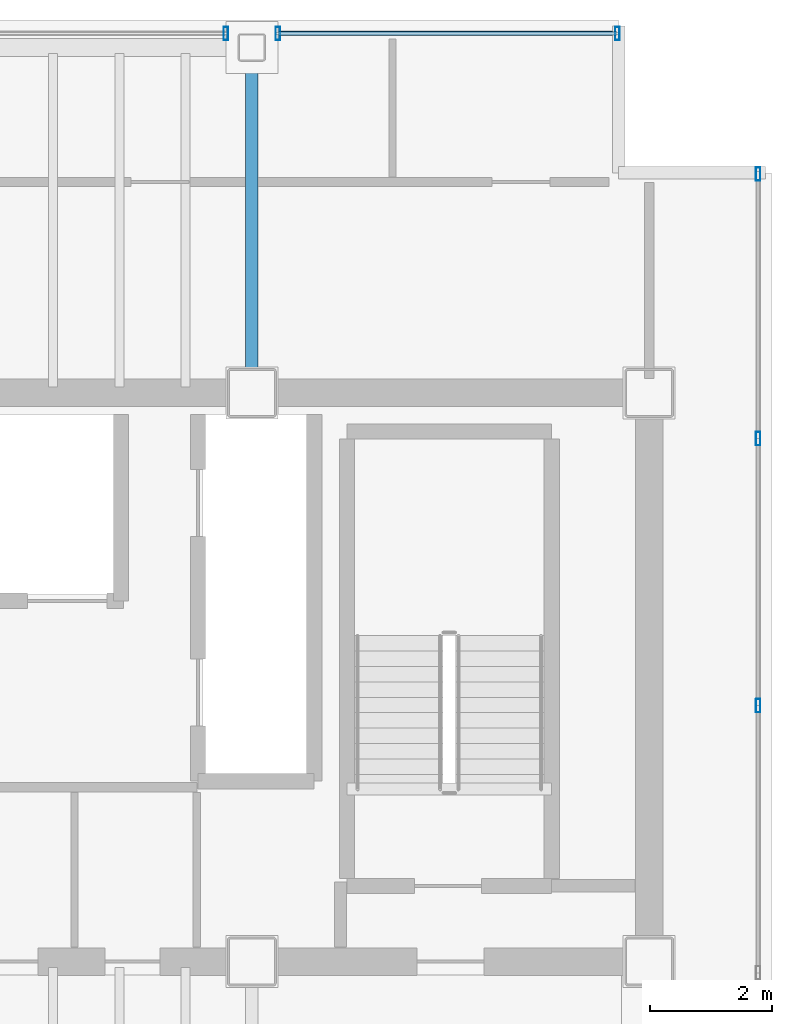
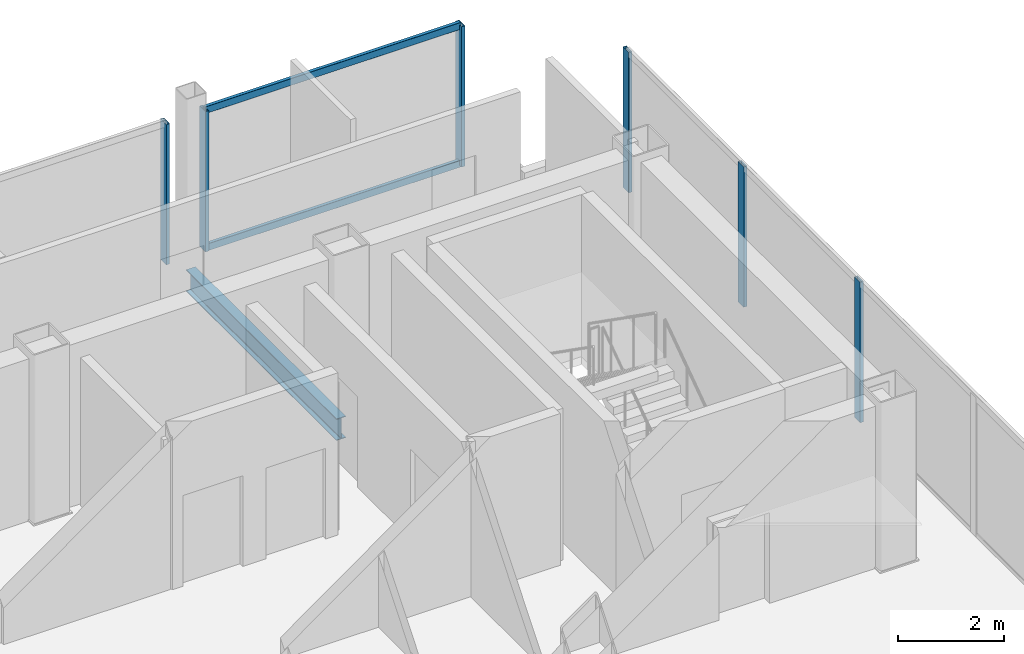
# One storey, part 12 of 16: 8 members, 1 beam, 3 elements without a shape of their own.
"""IFC4 building model written with IfcOpenShell, lengths in metres."""

from ifc_helpers import new_model, si_unit, direction, frame, origin, origin_2d, place, context, subcontext, project, spatial, hollow_rectangle, i_section, extrude, material, material_profile, profile_set, type_object, element, aggregate, save


model = new_model("IFC4")

# Units and contexts
model_context = context("Model", 3, precision=1e-05, world=origin(), true_north=direction((0.0, 1.0)))
body_context = subcontext(model_context, "Body", "Model", "MODEL_VIEW")
ifc_project = project(units=[si_unit("LENGTHUNIT", "METRE"), si_unit("AREAUNIT", "SQUARE_METRE"), si_unit("VOLUMEUNIT", "CUBIC_METRE"), si_unit("PLANEANGLEUNIT", "RADIAN"), si_unit("MASSUNIT", "GRAM", prefix="KILO")], contexts=[model_context])

# Site, building, storey
site_placement = place(None, origin())
site = spatial("IfcSite", under=ifc_project, at=site_placement, CompositionType="ELEMENT")
building_placement = place(site_placement, origin())
building = spatial("IfcBuilding", under=site, at=building_placement, Name="Noeulbin Bourse Tower", CompositionType="ELEMENT")
storey_placement = place(building_placement, frame((0.0, 0.0, 269.60009765625)))
storey = spatial("IfcBuildingStorey", under=building, at=storey_placement, Name="L67", CompositionType="ELEMENT", Elevation=269.60009765625)

# Beam
ifc_material_1 = material(Name="Steel S355", Category="steel")
ifc_material_profile_1 = material_profile(ifc_material_1, i_section(OverallWidth=0.199951171875, OverallDepth=0.5, WebThickness=0.010009765625, FlangeThickness=0.01611328125, FilletRadius=0.02001953125, at=origin_2d()), Name="H-500x200x10x16", Category="LoadBearing")
ifc_profile_set_1 = profile_set([ifc_material_profile_1], Name="Steel S355")
beam_type = type_object("IfcBeamType", Name="BM-GRD-500", PredefinedType="USERDEFINED", material=ifc_profile_set_1)
beam_placement = place(storey_placement, frame((37.5, 38.300048828125, -0.43017578125), z_axis=(0.0, 1.0, 0.0), x_axis=(-1.0, 0.0, 0.0)))
element("IfcBeam", 1, at=beam_placement, inside=storey, type_object=beam_type, Name="Tower Primary Girder NS L67-4.4", ObjectType="GIRDER", PredefinedType="USERDEFINED", context=body_context, shape_type="SweptSolid", body=[
    extrude(i_section(OverallWidth=0.199951171875, OverallDepth=0.5, WebThickness=0.010009765625, FlangeThickness=0.01611328125, FilletRadius=0.02001953125, at=origin_2d()), origin(), (0.0, 0.0, 1.0), 5.64990234375),
])

# Curtain wall, member
ifc_material_2 = material(Name="High-Selectivity Low-Iron Glazing", Category="glass")
curtain_wall_type = type_object("IfcCurtainWallType", Name="CW-SYS-4", PredefinedType="NOTDEFINED", material=ifc_material_2)
curtain_wall_1_placement = place(storey_placement, origin())
curtain_wall_1 = element("IfcCurtainWall", 2, at=curtain_wall_1_placement, inside=storey, type_object=curtain_wall_type, Name="Unitised Curtain Wall CW-L67-N-S4", PredefinedType="NOTDEFINED")
ifc_material_3 = material(Name="Anodised Aluminium 6063-T6", Category="aluminium")
ifc_material_profile_2 = material_profile(ifc_material_3, hollow_rectangle(XDim=0.074951171875, YDim=0.219970703125, WallThickness=0.0048828125, InnerFilletRadius=0.00244140625, OuterFilletRadius=0.0048828125, at=origin_2d()), Name="ALU-MULL-75x220x5", Category="LoadBearing")
ifc_profile_set_2 = profile_set([ifc_material_profile_2], Name="Anodised Aluminium 6063-T6")
member_type_1 = type_object("IfcMemberType", Name="CW-SYS-4-MUL", PredefinedType="MULLION", material=ifc_profile_set_2)
member_1_placement = place(storey_placement, frame((37.074951171875, 44.179931640625, -0.02001953125), z_axis=(0.0, 0.0, 1.0), x_axis=(1.0, 0.0, 0.0)))
member_1 = element("IfcMember", 3, at=member_1_placement, type_object=member_type_1, Name="Curtain Wall Mullion CW-L67-N-S4-M01", PredefinedType="MULLION", context=body_context, shape_type="SweptSolid", body=[
    extrude(hollow_rectangle(XDim=0.074951171875, YDim=0.219970703125, WallThickness=0.0048828125, InnerFilletRadius=0.00244140625, OuterFilletRadius=0.0048828125, at=origin_2d()), origin(), (0.0, 0.0, 1.0), 3.219970703125),
])
aggregate(curtain_wall_1, [member_1])

# Curtain wall, members
curtain_wall_2_placement = place(storey_placement, origin())
curtain_wall_2 = element("IfcCurtainWall", 4, at=curtain_wall_2_placement, inside=storey, type_object=curtain_wall_type, Name="Unitised Curtain Wall CW-L67-N-S5", PredefinedType="NOTDEFINED")
member_2_placement = place(storey_placement, frame((37.925048828125, 44.179931640625, -0.02001953125), z_axis=(0.0, 0.0, 1.0), x_axis=(1.0, 0.0, 0.0)))
member_2 = element("IfcMember", 5, at=member_2_placement, type_object=member_type_1, Name="Curtain Wall Mullion CW-L67-N-S5-M00", PredefinedType="MULLION", context=body_context, shape_type="SweptSolid", body=[
    extrude(hollow_rectangle(XDim=0.074951171875, YDim=0.219970703125, WallThickness=0.0048828125, InnerFilletRadius=0.00244140625, OuterFilletRadius=0.0048828125, at=origin_2d()), origin(), (0.0, 0.0, 1.0), 3.219970703125),
])
member_3_placement = place(storey_placement, frame((43.47998046875, 44.179931640625, -0.02001953125), z_axis=(0.0, 0.0, 1.0), x_axis=(1.0, 0.0, 0.0)))
member_3 = element("IfcMember", 6, at=member_3_placement, type_object=member_type_1, Name="Curtain Wall Mullion CW-L67-N-S5-M01", PredefinedType="MULLION", context=body_context, shape_type="SweptSolid", body=[
    extrude(hollow_rectangle(XDim=0.074951171875, YDim=0.219970703125, WallThickness=0.0048828125, InnerFilletRadius=0.00244140625, OuterFilletRadius=0.0048828125, at=origin_2d()), origin(), (0.0, 0.0, 1.0), 3.219970703125),
])

curtain_wall_3_placement = place(storey_placement, origin())
curtain_wall_3 = element("IfcCurtainWall", 7, at=curtain_wall_3_placement, inside=storey, type_object=curtain_wall_type, Name="Unitised Curtain Wall CW-L67-E", PredefinedType="NOTDEFINED")
member_4_placement = place(storey_placement, frame((45.780029296875, 33.18408203125, -0.02001953125), z_axis=(0.0, 0.0, 1.0), x_axis=(1.0, 0.0, 0.0)))
member_4 = element("IfcMember", 8, at=member_4_placement, type_object=member_type_1, Name="Curtain Wall Mullion CW-L67-E-M03", PredefinedType="MULLION", context=body_context, shape_type="SweptSolid", body=[
    extrude(hollow_rectangle(XDim=0.074951171875, YDim=0.219970703125, WallThickness=0.0048828125, InnerFilletRadius=0.00244140625, OuterFilletRadius=0.0048828125, at=origin_2d()), origin(), (0.0, 0.0, 1.0), 3.219970703125),
])
member_5_placement = place(storey_placement, frame((45.780029296875, 37.552001953125, -0.02001953125), z_axis=(0.0, 0.0, 1.0), x_axis=(1.0, 0.0, 0.0)))
member_5 = element("IfcMember", 9, at=member_5_placement, type_object=member_type_1, Name="Curtain Wall Mullion CW-L67-E-M04", PredefinedType="MULLION", context=body_context, shape_type="SweptSolid", body=[
    extrude(hollow_rectangle(XDim=0.074951171875, YDim=0.219970703125, WallThickness=0.0048828125, InnerFilletRadius=0.00244140625, OuterFilletRadius=0.0048828125, at=origin_2d()), origin(), (0.0, 0.0, 1.0), 3.219970703125),
])
member_6_placement = place(storey_placement, frame((45.780029296875, 41.8798828125, -0.02001953125), z_axis=(0.0, 0.0, 1.0), x_axis=(1.0, 0.0, 0.0)))
member_6 = element("IfcMember", 10, at=member_6_placement, type_object=member_type_1, Name="Curtain Wall Mullion CW-L67-E-M05", PredefinedType="MULLION", context=body_context, shape_type="SweptSolid", body=[
    extrude(hollow_rectangle(XDim=0.074951171875, YDim=0.219970703125, WallThickness=0.0048828125, InnerFilletRadius=0.00244140625, OuterFilletRadius=0.0048828125, at=origin_2d()), origin(), (0.0, 0.0, 1.0), 3.219970703125),
])
aggregate(curtain_wall_3, [member_4, member_5, member_6])

# Member
ifc_material_profile_3 = material_profile(ifc_material_3, hollow_rectangle(XDim=0.074951171875, YDim=0.159912109375, WallThickness=0.0048828125, InnerFilletRadius=0.00244140625, OuterFilletRadius=0.0048828125, at=origin_2d()), Name="ALU-TRAN-75x160x5", Category="LoadBearing")
ifc_profile_set_3 = profile_set([ifc_material_profile_3], Name="Anodised Aluminium 6063-T6")
member_type_2 = type_object("IfcMemberType", Name="CW-SYS-4-TRN", PredefinedType="USERDEFINED", material=ifc_profile_set_3)
member_7_placement = place(storey_placement, frame((37.93505859375, 44.179931640625, 0.010009765625), z_axis=(1.0, 0.0, 0.0), x_axis=(0.0, 1.0, 0.0)))
member_7 = element("IfcMember", 11, at=member_7_placement, type_object=member_type_2, Name="Curtain Wall Transom CW-L67-N-S5-T00", ObjectType="TRANSOM", PredefinedType="USERDEFINED", context=body_context, shape_type="SweptSolid", body=[
    extrude(hollow_rectangle(XDim=0.074951171875, YDim=0.159912109375, WallThickness=0.0048828125, InnerFilletRadius=0.00244140625, OuterFilletRadius=0.0048828125, at=origin_2d()), origin(), (0.0, 0.0, 1.0), 5.534912109375),
])

member_8_placement = place(storey_placement, frame((37.93505859375, 44.179931640625, 3.169921875), z_axis=(1.0, 0.0, 0.0), x_axis=(0.0, 1.0, 0.0)))
member_8 = element("IfcMember", 12, at=member_8_placement, type_object=member_type_2, Name="Curtain Wall Transom CW-L67-N-S5-T01", ObjectType="TRANSOM", PredefinedType="USERDEFINED", context=body_context, shape_type="SweptSolid", body=[
    extrude(hollow_rectangle(XDim=0.074951171875, YDim=0.159912109375, WallThickness=0.0048828125, InnerFilletRadius=0.00244140625, OuterFilletRadius=0.0048828125, at=origin_2d()), origin(), (0.0, 0.0, 1.0), 5.534912109375),
])

aggregate(curtain_wall_2, [member_2, member_3, member_7, member_8])

save(model, "model.ifc")
